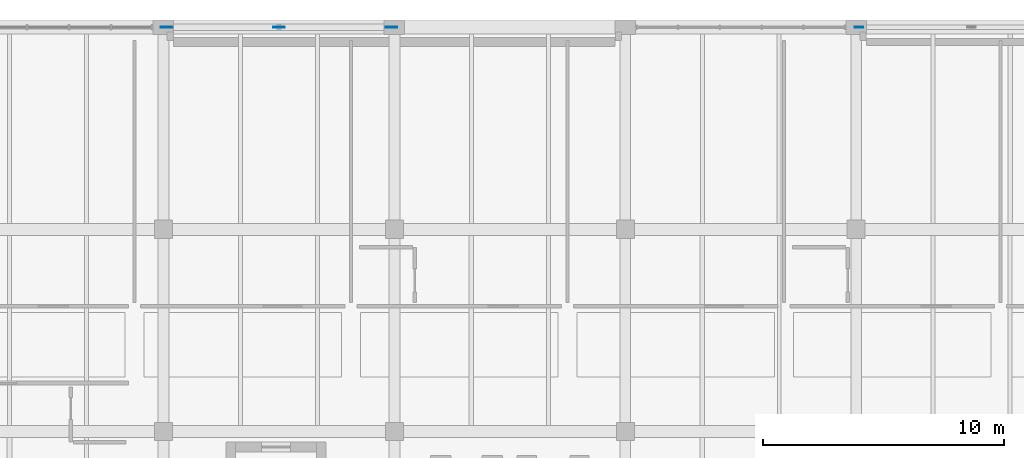
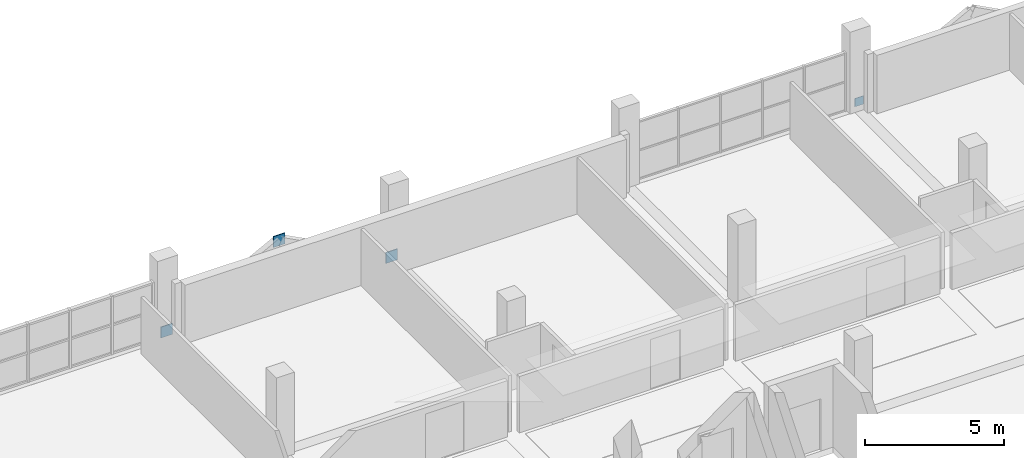
# One storey, part 116 of 147: 4 plates.
"""IFC4 building model written with IfcOpenShell, lengths in metres."""

from ifc_helpers import new_model, si_unit, direction, frame, origin, origin_2d, place, context, subcontext, project, spatial, rectangle, extrude, material, layer, layer_set, type_object, element, save


model = new_model("IFC4")

# Units and contexts
model_context = context("Model", 3, precision=1e-05, world=origin(), true_north=direction((0.0, 1.0)))
body_context = subcontext(model_context, "Body", "Model", "MODEL_VIEW")
ifc_project = project(units=[si_unit("LENGTHUNIT", "METRE"), si_unit("AREAUNIT", "SQUARE_METRE"), si_unit("VOLUMEUNIT", "CUBIC_METRE"), si_unit("PLANEANGLEUNIT", "RADIAN"), si_unit("MASSUNIT", "GRAM", prefix="KILO")], contexts=[model_context])

# Site, building, storey
site_placement = place(None, origin())
site = spatial("IfcSite", under=ifc_project, at=site_placement, CompositionType="ELEMENT")
building_placement = place(site_placement, origin())
building = spatial("IfcBuilding", under=site, at=building_placement, Name="Oolite Switchyard Hospital", CompositionType="ELEMENT")
storey_placement = place(building_placement, frame((0.0, 0.0, 9.89990234375)))
storey = spatial("IfcBuildingStorey", under=building, at=storey_placement, Name="L02", CompositionType="ELEMENT", Elevation=9.89990234375)

# Plates
ifc_material = material(Name="Steel ASTM A572 Grade 50", Category="steel")
ifc_layer_1 = layer(ifc_material, 0.02392578125)
ifc_layer_set_1 = layer_set([ifc_layer_1], Name="PLT-GUS-360")
plate_type_1 = type_object("IfcPlateType", Name="PLT-GUS-360", PredefinedType="SHEET", material=ifc_layer_set_1)
plate_placement = place(storey_placement, frame((182.52001953125, 134.39990234375, 0.02001953125), z_axis=(0.0, 0.0, 1.0), x_axis=(1.0, 0.0, 0.0)))
element("IfcPlate", 1, at=plate_placement, inside=storey, type_object=plate_type_1, Name="L02 Brace Base Gusset Plate 73", PredefinedType="SHEET", context=body_context, shape_type="SweptSolid", body=[
    extrude(rectangle(XDim=0.360107421875, YDim=0.02392578125, at=origin_2d()), origin(), (0.0, 0.0, 1.0), 0.360107421875),
])
ifc_layer_2 = layer(ifc_material, 0.031982421875)
ifc_layer_set_2 = layer_set([ifc_layer_2], Name="PLT-GUS-480")
plate_type_2 = type_object("IfcPlateType", Name="PLT-GUS-480", PredefinedType="SHEET", material=ifc_layer_set_2)
for number, where, z_axis, x_axis, name in (
    (2, (153.719970703125, 134.39990234375, -0.039794921875), (0.0, 0.0, 1.0), (1.0, 0.0, 0.0), "L02 Brace Base Gusset Plate 49"),
    (3, (163.080078125, 134.39990234375, -0.039794921875), (0.0, 0.0, 1.0), (1.0, 0.0, 0.0), "L02 Brace Base Gusset Plate 50"),
    (4, (158.39990234375, 134.39990234375, 2.300048828125), (0.0, 0.0, 1.0), (1.0, 0.0, 0.0), "L02 Gusset Connection Plate 51"),
):
    element("IfcPlate", number, at=place(storey_placement, frame(where, z_axis=z_axis, x_axis=x_axis)), inside=storey, type_object=plate_type_2, Name=name, PredefinedType="SHEET", context=body_context, shape_type="SweptSolid", body=[
        extrude(rectangle(XDim=0.47998046875, YDim=0.031982421875, at=origin_2d()), origin(), (0.0, 0.0, 1.0), 0.47998046875),
    ])

save(model, "model.ifc")
